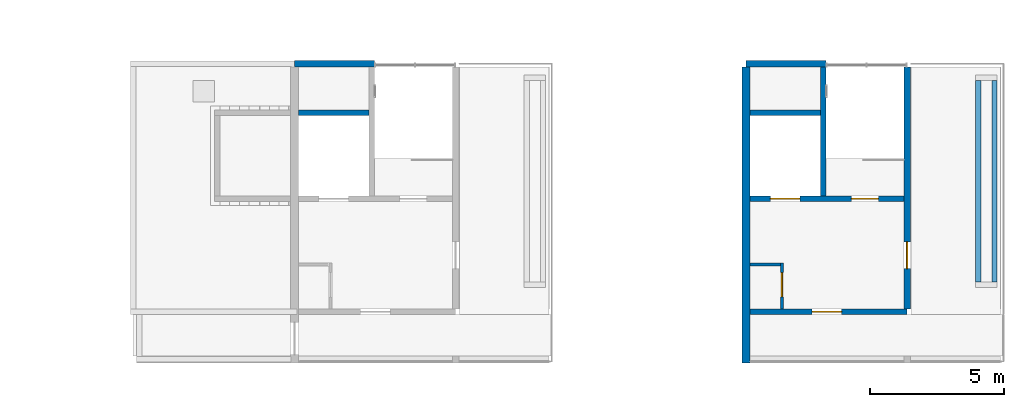
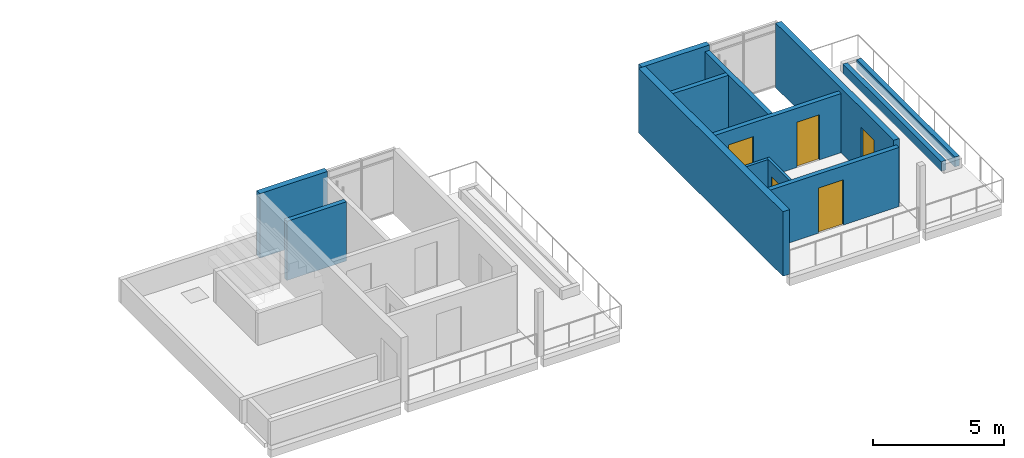
# One storey, part 25 of 33: 13 walls, 5 doors, 5 openings.
"""IFC4 building model written with IfcOpenShell, lengths in metres."""

from ifc_helpers import new_model, si_unit, direction, frame, frame_2d, origin, place, context, subcontext, project, spatial, rectangle, extrude, material, layer, layer_set, type_object, element, fill, save


model = new_model("IFC4")

# Units and contexts
model_context = context("Model", 3, precision=1e-05, world=origin(), true_north=direction((0.0, 1.0)))
body_context = subcontext(model_context, "Body", "Model", "MODEL_VIEW")
ifc_project = project(units=[si_unit("LENGTHUNIT", "METRE"), si_unit("AREAUNIT", "SQUARE_METRE"), si_unit("VOLUMEUNIT", "CUBIC_METRE"), si_unit("PLANEANGLEUNIT", "RADIAN"), si_unit("MASSUNIT", "GRAM", prefix="KILO")], contexts=[model_context])

# Site, building, storey
site_placement = place(None, origin())
site = spatial("IfcSite", under=ifc_project, at=site_placement, CompositionType="ELEMENT")
building_placement = place(site_placement, origin())
building = spatial("IfcBuilding", under=site, at=building_placement, Name="Ridgestep Commons", CompositionType="ELEMENT")
storey_placement = place(building_placement, frame((0.0, 0.0, 42.0)))
storey = spatial("IfcBuildingStorey", under=building, at=storey_placement, Name="L14", CompositionType="ELEMENT", Elevation=42.0)

# Wall, opening, door
ifc_material_1 = material(Name="Concrete C30/37", Category="concrete")
ifc_layer_1 = layer(ifc_material_1, 0.199951171875)
ifc_layer_set_1 = layer_set([ifc_layer_1], Name="Core south wall 200")
wall_type_1 = type_object("IfcWallType", Name="Core south wall 200", PredefinedType="SHEAR", material=ifc_layer_set_1)
wall_1_placement = place(storey_placement, frame((230.949951171875, 13.64990234375, 0.0), z_axis=(0.0, 0.0, 1.0), x_axis=(1.0, 0.0, 0.0)))
wall_1 = element("IfcWall", 1, at=wall_1_placement, inside=storey, type_object=wall_type_1, Name="Core south wall D6C L14", PredefinedType="SHEAR", context=body_context, shape_type="SweptSolid", body=[
    extrude(rectangle(XDim=5.85009765625, YDim=0.199951171875, at=frame_2d((2.925048828125, 0.0))), origin(), (0.0, 0.0, 1.0), 2.75),
])
opening_1_placement = place(wall_1_placement, frame((2.3125, 0.0, 0.0)))
opening_1 = element("IfcOpeningElement", 2, at=opening_1_placement, cuts=wall_1, Name="Opening D6C/14/1", PredefinedType="OPENING", context=body_context, shape_type="SweptSolid", body=[
    extrude(rectangle(XDim=1.10009765625, YDim=2.10009765625, at=frame_2d((0.550048828125, 1.050048828125))), frame((0.0, 0.10986328125, 0.0), z_axis=(0.0, -1.0, 0.0), x_axis=(1.0, 0.0, 0.0)), (0.0, 0.0, 1.0), 0.219970703125),
])
ifc_material_2 = material(Name="Steel fire door", Category="steel")
door_type_1 = type_object("IfcDoorType", Name="Lobby door 1100 x 2100 FD60", OperationType="NOTDEFINED", PredefinedType="DOOR", material=ifc_material_2)
door_1_placement = place(opening_1_placement, origin())
door_1 = element("IfcDoor", 3, at=door_1_placement, inside=storey, type_object=door_type_1, Name="Lobby door D6C/14/1", OperationType="SINGLE_SWING_LEFT", OverallHeight=2.10009765625, OverallWidth=1.10009765625, PredefinedType="DOOR", context=body_context, shape_type="SweptSolid", body=[
    extrude(rectangle(XDim=1.10009765625, YDim=2.10009765625, at=frame_2d((0.550048828125, 1.050048828125))), frame((0.0, 0.02490234375, 0.0), z_axis=(0.0, -1.0, 0.0), x_axis=(1.0, 0.0, 0.0)), (0.0, 0.0, 1.0), 0.050048828125),
])
fill(opening_1, door_1)

ifc_material_3 = material(Name="Concrete C30/37", Category="concrete")
ifc_layer_2 = layer(ifc_material_3, 0.1201171875)
ifc_layer_set_2 = layer_set([ifc_layer_2], Name="Core wall 120")
wall_type_2 = type_object("IfcWallType", Name="Core wall 120", PredefinedType="SHEAR", material=ifc_layer_set_2)
wall_2_placement = place(storey_placement, frame((232.139892578125, 13.75, 0.0), z_axis=(0.0, 0.0, 1.0), x_axis=(0.0, 1.0, 0.0)))
wall_2 = element("IfcWall", 4, at=wall_2_placement, inside=storey, type_object=wall_type_2, Name="Core riser w wall D6C L14", PredefinedType="SHEAR", context=body_context, shape_type="SweptSolid", body=[
    extrude(rectangle(XDim=1.719970703125, YDim=0.1201171875, at=frame_2d((0.85986328125, 0.0))), origin(), (0.0, 0.0, 1.0), 2.75),
])
opening_2_placement = place(wall_2_placement, frame((0.449951171875, 0.0, 0.0)))
opening_2 = element("IfcOpeningElement", 5, at=opening_2_placement, cuts=wall_2, Name="Opening D6C/14/4", PredefinedType="OPENING", context=body_context, shape_type="SweptSolid", body=[
    extrude(rectangle(XDim=0.89990234375, YDim=2.10009765625, at=frame_2d((0.449951171875, 1.050048828125))), frame((0.0, 0.070068359375, 0.0), z_axis=(0.0, -1.0, 0.0), x_axis=(1.0, 0.0, 0.0)), (0.0, 0.0, 1.0), 0.14013671875),
])
ifc_material_4 = material(Name="Steel fire door", Category="steel")
door_type_2 = type_object("IfcDoorType", Name="Riser door 900 x 2100 FD60", OperationType="NOTDEFINED", PredefinedType="DOOR", material=ifc_material_4)
door_2_placement = place(opening_2_placement, origin())
door_2 = element("IfcDoor", 6, at=door_2_placement, inside=storey, type_object=door_type_2, Name="Riser door D6C/14/4", OperationType="SINGLE_SWING_RIGHT", OverallHeight=2.10009765625, OverallWidth=0.89990234375, PredefinedType="DOOR", context=body_context, shape_type="SweptSolid", body=[
    extrude(rectangle(XDim=0.89990234375, YDim=2.10009765625, at=frame_2d((0.449951171875, 1.050048828125))), frame((0.0, 0.02490234375, 0.0), z_axis=(0.0, -1.0, 0.0), x_axis=(1.0, 0.0, 0.0)), (0.0, 0.0, 1.0), 0.050048828125),
])
fill(opening_2, door_2)

# Walls
wall_3_placement = place(storey_placement, frame((230.949951171875, 15.409912109375, 0.0), z_axis=(0.0, 0.0, 1.0), x_axis=(1.0, 0.0, 0.0)))
element("IfcWall", 7, at=wall_3_placement, inside=storey, type_object=wall_type_2, Name="Core riser n wall D6C L14", PredefinedType="SHEAR", context=body_context, shape_type="SweptSolid", body=[
    extrude(rectangle(XDim=1.130126953125, YDim=0.1201171875, at=frame_2d((0.56494140625, 0.0))), origin(), (0.0, 0.0, 1.0), 2.75),
])
ifc_material_5 = material(Name="Concrete C30/37", Category="concrete")
ifc_layer_3 = layer(ifc_material_5, 0.199951171875)
ifc_layer_set_3 = layer_set([ifc_layer_3], Name="Core wall 200")
wall_type_3 = type_object("IfcWallType", Name="Core wall 200", PredefinedType="SHEAR", material=ifc_layer_set_3)
wall_4_placement = place(storey_placement, frame((214.14990234375, 21.050048828125, 0.0), z_axis=(0.0, 0.0, 1.0), x_axis=(1.0, 0.0, 0.0)))
element("IfcWall", 8, at=wall_4_placement, inside=storey, type_object=wall_type_3, Name="Core duct wall D5C L14", PredefinedType="SHEAR", context=body_context, shape_type="SweptSolid", body=[
    extrude(rectangle(XDim=2.625, YDim=0.199951171875, at=frame_2d((1.3125, 0.0))), origin(), (0.0, 0.0, 1.0), 2.75),
])

# Wall, openings, doors
wall_5_placement = place(storey_placement, frame((230.949951171875, 17.85009765625, 0.0), z_axis=(0.0, 0.0, 1.0), x_axis=(1.0, 0.0, 0.0)))
wall_5 = element("IfcWall", 9, at=wall_5_placement, inside=storey, type_object=wall_type_3, Name="Core lobby wall D6C L14", PredefinedType="SHEAR", context=body_context, shape_type="SweptSolid", body=[
    extrude(rectangle(XDim=5.72509765625, YDim=0.199951171875, at=frame_2d((2.862548828125, 0.0))), origin(), (0.0, 0.0, 1.0), 2.75),
])
opening_3_placement = place(wall_5_placement, frame((3.77490234375, 0.0, 0.0)))
opening_3 = element("IfcOpeningElement", 10, at=opening_3_placement, cuts=wall_5, Name="Opening D6C/14/2", PredefinedType="OPENING", context=body_context, shape_type="SweptSolid", body=[
    extrude(rectangle(XDim=1.0, YDim=2.10009765625, at=frame_2d((0.5, 1.050048828125))), frame((0.0, 0.10986328125, 0.0), z_axis=(0.0, -1.0, 0.0), x_axis=(1.0, 0.0, 0.0)), (0.0, 0.0, 1.0), 0.219970703125),
])
opening_4_placement = place(wall_5_placement, frame((0.762451171875, 0.0, 0.0)))
opening_4 = element("IfcOpeningElement", 11, at=opening_4_placement, cuts=wall_5, Name="Opening D6C/14/3", PredefinedType="OPENING", context=body_context, shape_type="SweptSolid", body=[
    extrude(rectangle(XDim=1.10009765625, YDim=2.10009765625, at=frame_2d((0.550048828125, 1.050048828125))), frame((0.0, 0.10986328125, 0.0), z_axis=(0.0, -1.0, 0.0), x_axis=(1.0, 0.0, 0.0)), (0.0, 0.0, 1.0), 0.219970703125),
])
ifc_material_6 = material(Name="Stainless steel", Category="steel")
door_type_3 = type_object("IfcDoorType", Name="Lift landing door 1100 x 2100 FD60", OperationType="DOUBLE_DOOR_SLIDING", PredefinedType="DOOR", material=ifc_material_6)
door_3_placement = place(opening_4_placement, origin())
door_3 = element("IfcDoor", 12, at=door_3_placement, inside=storey, type_object=door_type_3, Name="Landing door LD D6C L14", OperationType="DOUBLE_DOOR_SLIDING", OverallHeight=2.10009765625, OverallWidth=1.10009765625, PredefinedType="DOOR", context=body_context, shape_type="SweptSolid", body=[
    extrude(rectangle(XDim=1.10009765625, YDim=2.10009765625, at=frame_2d((0.550048828125, 1.050048828125))), frame((0.0, 0.02490234375, 0.0), z_axis=(0.0, -1.0, 0.0), x_axis=(1.0, 0.0, 0.0)), (0.0, 0.0, 1.0), 0.050048828125),
])
fill(opening_4, door_3)
ifc_material_7 = material(Name="Steel fire door", Category="steel")
door_type_4 = type_object("IfcDoorType", Name="Stair door 1000 x 2100 FD60", OperationType="NOTDEFINED", PredefinedType="DOOR", material=ifc_material_7)
door_4_placement = place(opening_3_placement, origin())
door_4 = element("IfcDoor", 13, at=door_4_placement, inside=storey, type_object=door_type_4, Name="Stair door D6C/14/2", OperationType="SINGLE_SWING_RIGHT", OverallHeight=2.10009765625, OverallWidth=1.0, PredefinedType="DOOR", context=body_context, shape_type="SweptSolid", body=[
    extrude(rectangle(XDim=1.0, YDim=2.10009765625, at=frame_2d((0.5, 1.050048828125))), frame((0.0, 0.02490234375, 0.0), z_axis=(0.0, -1.0, 0.0), x_axis=(1.0, 0.0, 0.0)), (0.0, 0.0, 1.0), 0.050048828125),
])
fill(opening_3, door_4)

# Walls
wall_6_placement = place(storey_placement, frame((233.675048828125, 17.949951171875, 0.0), z_axis=(0.0, 0.0, 1.0), x_axis=(0.0, 1.0, 0.0)))
element("IfcWall", 14, at=wall_6_placement, inside=storey, type_object=wall_type_3, Name="Core stair wall D6C L14", PredefinedType="SHEAR", context=body_context, shape_type="SweptSolid", body=[
    extrude(rectangle(XDim=4.800048828125, YDim=0.199951171875, at=frame_2d((2.39990234375, 0.0))), origin(), (0.0, 0.0, 1.0), 2.75),
])
wall_7_placement = place(storey_placement, frame((230.949951171875, 21.050048828125, 0.0), z_axis=(0.0, 0.0, 1.0), x_axis=(1.0, 0.0, 0.0)))
element("IfcWall", 15, at=wall_7_placement, inside=storey, type_object=wall_type_3, Name="Core duct wall D6C L14", PredefinedType="SHEAR", context=body_context, shape_type="SweptSolid", body=[
    extrude(rectangle(XDim=2.625, YDim=0.199951171875, at=frame_2d((1.3125, 0.0))), origin(), (0.0, 0.0, 1.0), 2.75),
])

# Wall, opening, door
ifc_material_8 = material(Name="Concrete C30/37", Category="concrete")
ifc_layer_4 = layer(ifc_material_8, 0.25)
ifc_layer_set_4 = layer_set([ifc_layer_4], Name="Exposed core cross wall 250")
wall_type_4 = type_object("IfcWallType", Name="Exposed core cross wall 250", PredefinedType="SHEAR", material=ifc_layer_set_4)
wall_8_placement = place(storey_placement, frame((236.800048828125, 13.75, 0.0), z_axis=(0.0, 0.0, 1.0), x_axis=(0.0, 1.0, 0.0)))
wall_8 = element("IfcWall", 16, at=wall_8_placement, inside=storey, type_object=wall_type_4, Name="Cross wall D-14-2368", PredefinedType="SHEAR", context=body_context, shape_type="SweptSolid", body=[
    extrude(rectangle(XDim=9.0, YDim=0.25, at=frame_2d((4.5, 0.0))), origin(), (0.0, 0.0, 1.0), 3.0),
])
opening_5_placement = place(wall_8_placement, frame((1.5, 0.0, 0.0)))
opening_5 = element("IfcOpeningElement", 17, at=opening_5_placement, cuts=wall_8, Name="Opening D6C/14/T", PredefinedType="OPENING", context=body_context, shape_type="SweptSolid", body=[
    extrude(rectangle(XDim=1.0, YDim=2.10009765625, at=frame_2d((0.5, 1.050048828125))), frame((0.0, 0.135009765625, 0.0), z_axis=(0.0, -1.0, 0.0), x_axis=(1.0, 0.0, 0.0)), (0.0, 0.0, 1.0), 0.27001953125),
])
ifc_material_9 = material(Name="Aluminium and glass", Category="aluminium")
door_type_5 = type_object("IfcDoorType", Name="Terrace door 1000 x 2100 FD60", OperationType="NOTDEFINED", PredefinedType="DOOR", material=ifc_material_9)
door_5_placement = place(opening_5_placement, origin())
door_5 = element("IfcDoor", 18, at=door_5_placement, inside=storey, type_object=door_type_5, Name="Terrace door D6C/14/T", OperationType="SINGLE_SWING_RIGHT", OverallHeight=2.10009765625, OverallWidth=1.0, PredefinedType="DOOR", context=body_context, shape_type="SweptSolid", body=[
    extrude(rectangle(XDim=1.0, YDim=2.10009765625, at=frame_2d((0.5, 1.050048828125))), frame((0.0, 0.02490234375, 0.0), z_axis=(0.0, -1.0, 0.0), x_axis=(1.0, 0.0, 0.0)), (0.0, 0.0, 1.0), 0.050048828125),
])
fill(opening_5, door_5)

# Walls
ifc_material_10 = material(Name="Precast concrete C40/50", Category="concrete")
ifc_layer_5 = layer(ifc_material_10, 0.300048828125)
ifc_layer_set_5 = layer_set([ifc_layer_5], Name="Exposed division wall 300")
wall_type_5 = type_object("IfcWallType", Name="Exposed division wall 300", PredefinedType="SHEAR", material=ifc_layer_set_5)
wall_9_placement = place(storey_placement, frame((230.800048828125, 11.75, 0.0), z_axis=(0.0, 0.0, 1.0), x_axis=(0.0, 1.0, 0.0)))
element("IfcWall", 19, at=wall_9_placement, inside=storey, type_object=wall_type_5, Name="Cross wall D-14-2308", PredefinedType="SHEAR", context=body_context, shape_type="SweptSolid", body=[
    extrude(rectangle(XDim=11.0, YDim=0.300048828125, at=frame_2d((5.5, 0.0))), origin(), (0.0, 0.0, 1.0), 3.0),
])
ifc_material_11 = material(Name="Precast concrete C40/50", Category="concrete")
ifc_layer_6 = layer(ifc_material_11, 0.25)
ifc_layer_set_6 = layer_set([ifc_layer_6], Name="North facade panel 250")
wall_type_6 = type_object("IfcWallType", Name="North facade panel 250", PredefinedType="SOLIDWALL", material=ifc_layer_set_6)
wall_10_placement = place(storey_placement, frame((214.0, 22.875, 0.0), z_axis=(0.0, 0.0, 1.0), x_axis=(1.0, 0.0, 0.0)))
element("IfcWall", 20, at=wall_10_placement, inside=storey, type_object=wall_type_6, Name="North panel D5C L14", PredefinedType="SOLIDWALL", context=body_context, shape_type="SweptSolid", body=[
    extrude(rectangle(XDim=2.97509765625, YDim=0.25, at=frame_2d((1.487548828125, 0.0))), origin(), (0.0, 0.0, 1.0), 3.0),
])
wall_11_placement = place(storey_placement, frame((230.800048828125, 22.875, 0.0), z_axis=(0.0, 0.0, 1.0), x_axis=(1.0, 0.0, 0.0)))
element("IfcWall", 21, at=wall_11_placement, inside=storey, type_object=wall_type_6, Name="North panel D6C L14", PredefinedType="SOLIDWALL", context=body_context, shape_type="SweptSolid", body=[
    extrude(rectangle(XDim=2.974853515625, YDim=0.25, at=frame_2d((1.4873046875, 0.0))), origin(), (0.0, 0.0, 1.0), 3.0),
])
ifc_material_12 = material(Name="Facing brick", Category="masonry")
ifc_layer_7 = layer(ifc_material_12, 0.199951171875)
ifc_layer_set_7 = layer_set([ifc_layer_7], Name="Planter wall 200")
wall_type_7 = type_object("IfcWallType", Name="Planter wall 200", PredefinedType="SOLIDWALL", material=ifc_layer_set_7)
for number, where, z_axis, x_axis, name in (
    (22, (239.449951171875, 14.75, 0.010009765625), (0.0, 0.0, 1.0), (0.0, 1.0, 0.0), "Planter wall D6R3W"),
    (23, (240.050048828125, 14.75, 0.010009765625), (0.0, 0.0, 1.0), (0.0, 1.0, 0.0), "Planter wall D6R3E"),
):
    element("IfcWall", number, at=place(storey_placement, frame(where, z_axis=z_axis, x_axis=x_axis)), inside=storey, type_object=wall_type_7, Name=name, PredefinedType="SOLIDWALL", context=body_context, shape_type="SweptSolid", body=[
        extrude(rectangle(XDim=7.5, YDim=0.199951171875, at=frame_2d((3.75, 0.0))), origin(), (0.0, 0.0, 1.0), 0.449951171875),
    ])

save(model, "model.ifc")
